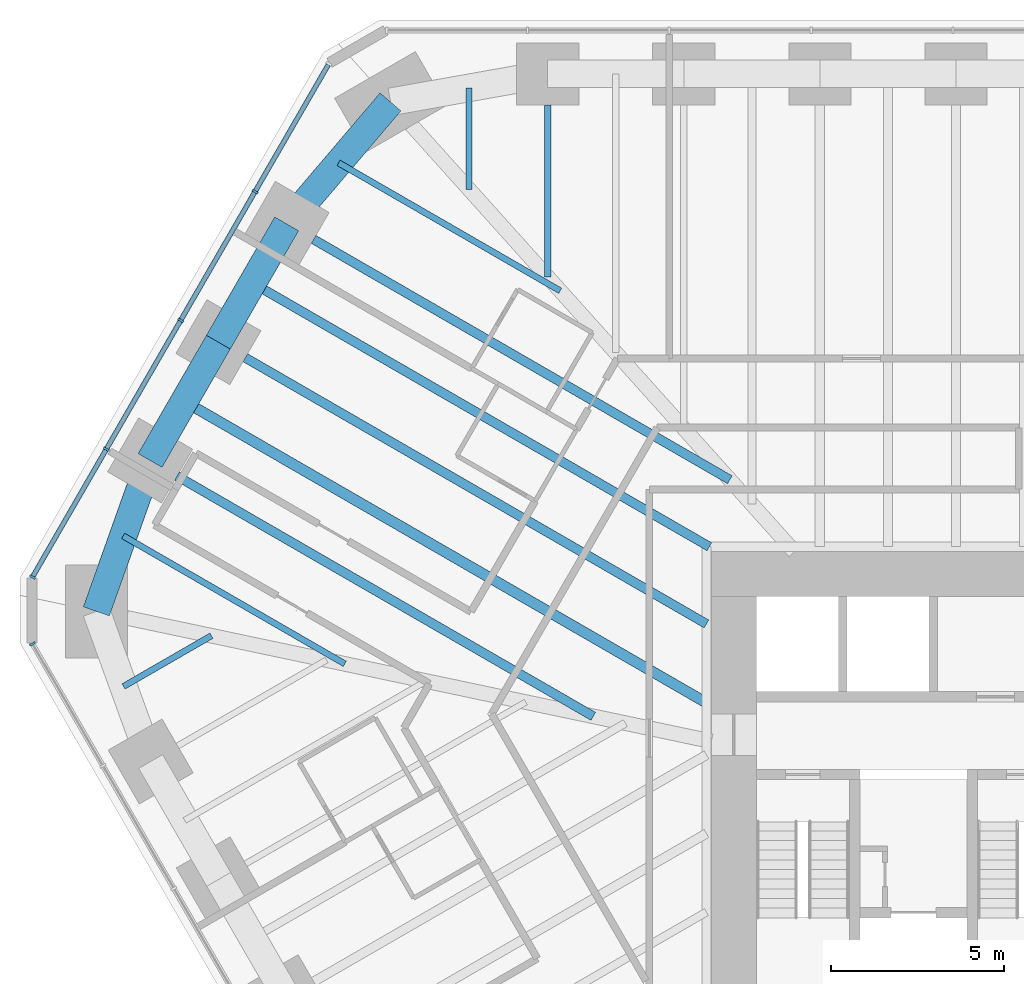
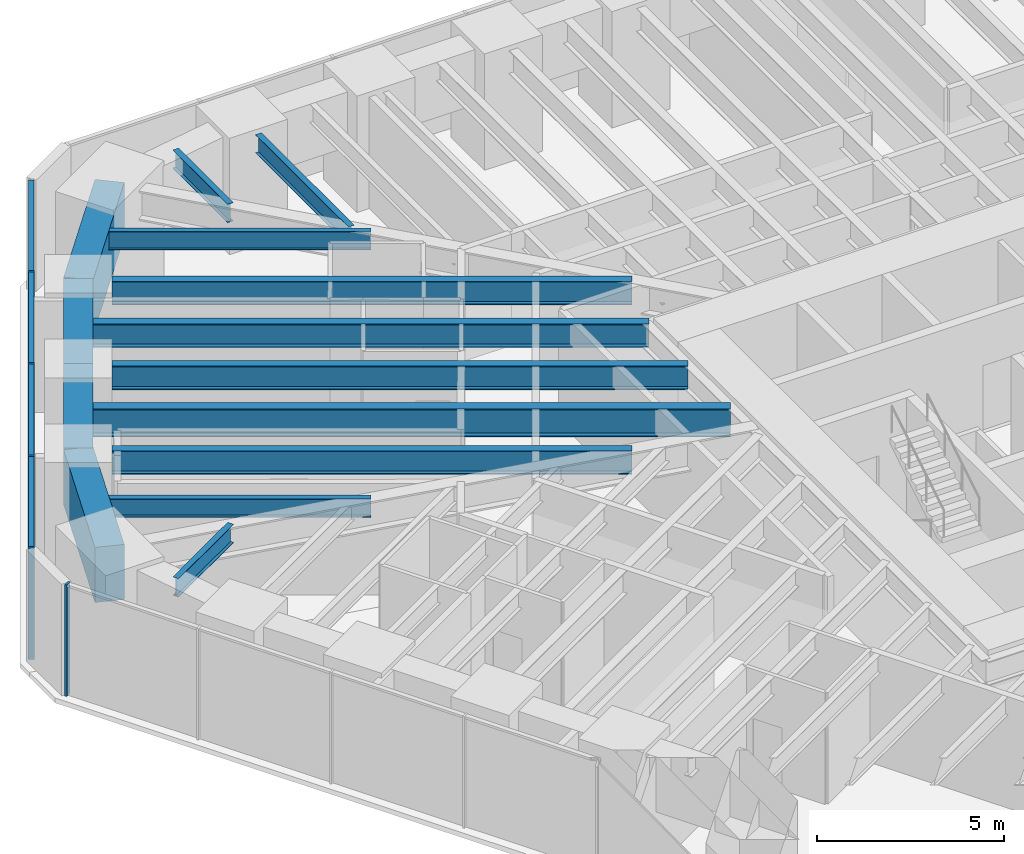
# One storey, part 7 of 16: 14 beams, 9 members, 2 elements without a shape of their own.
"""IFC4 building model written with IfcOpenShell, lengths in metres."""

from ifc_helpers import new_model, si_unit, direction, frame, origin, origin_2d, place, context, subcontext, project, spatial, rectangle, i_section, extrude, material, material_profile, profile_set, type_object, element, aggregate, save


model = new_model("IFC4")

# Units and contexts
model_context = context("Model", 3, precision=1e-05, world=origin(), true_north=direction((0.0, 1.0)))
body_context = subcontext(model_context, "Body", "Model", "MODEL_VIEW")
ifc_project = project(units=[si_unit("LENGTHUNIT", "METRE"), si_unit("AREAUNIT", "SQUARE_METRE"), si_unit("VOLUMEUNIT", "CUBIC_METRE"), si_unit("PLANEANGLEUNIT", "RADIAN"), si_unit("MASSUNIT", "GRAM", prefix="KILO")], contexts=[model_context])

# Site, building, storey
site_placement = place(None, origin())
site = spatial("IfcSite", under=ifc_project, at=site_placement, CompositionType="ELEMENT")
building_placement = place(site_placement, origin())
building = spatial("IfcBuilding", under=site, at=building_placement, Name="Sandreach Pilgrim Tower", CompositionType="ELEMENT")
storey_placement = place(building_placement, frame((0.0, 0.0, 134.800048828125)))
storey = spatial("IfcBuildingStorey", under=building, at=storey_placement, Name="L33", CompositionType="ELEMENT", Elevation=134.800048828125)

# Curtain wall, member
ifc_material_1 = material(Name="Aluminium framed curtain wall", Category="aluminium")
curtain_wall_type = type_object("IfcCurtainWallType", Name="Hotel tower curtain wall", PredefinedType="NOTDEFINED", material=ifc_material_1)
curtain_wall_1_placement = place(storey_placement, origin())
curtain_wall_1 = element("IfcCurtainWall", 1, at=curtain_wall_1_placement, inside=storey, type_object=curtain_wall_type, Name="CW-2 L33 SW", PredefinedType="NOTDEFINED")
ifc_material_2 = material(Name="Aluminium extrusion", Category="aluminium")
ifc_material_profile_1 = material_profile(ifc_material_2, rectangle(XDim=0.06494140625, YDim=0.179931640625, at=origin_2d()), Name="CW-2M 65X180")
ifc_profile_set_1 = profile_set([ifc_material_profile_1], Name="Aluminium extrusion")
member_type_1 = type_object("IfcMemberType", Name="CW-2 mullion", PredefinedType="MULLION", material=ifc_profile_set_1)
member_1_placement = place(storey_placement, frame((-28.70458984375, 4.730224609375, 0.0), z_axis=(0.0, 0.0, 1.0), x_axis=(-0.5, 0.866025403784, 0.0)))
member_1 = element("IfcMember", 2, at=member_1_placement, type_object=member_type_1, Name="CW-2 mullion 10", PredefinedType="MULLION", context=body_context, shape_type="SweptSolid", body=[
    extrude(rectangle(XDim=0.06494140625, YDim=0.179931640625, at=origin_2d()), origin(), (0.0, 0.0, 1.0), 3.639892578125),
])
aggregate(curtain_wall_1, [member_1])

# Curtain wall, members
curtain_wall_2_placement = place(storey_placement, origin())
curtain_wall_2 = element("IfcCurtainWall", 3, at=curtain_wall_2_placement, inside=storey, type_object=curtain_wall_type, Name="CW-2 L33 NW", PredefinedType="NOTDEFINED")
member_2_placement = place(storey_placement, frame((-28.70458984375, 6.66650390625, 0.0), z_axis=(0.0, 0.0, 1.0), x_axis=(0.5, 0.866025403784, 0.0)))
member_2 = element("IfcMember", 4, at=member_2_placement, type_object=member_type_1, Name="CW-2 mullion 1", PredefinedType="MULLION", context=body_context, shape_type="SweptSolid", body=[
    extrude(rectangle(XDim=0.06494140625, YDim=0.179931640625, at=origin_2d()), origin(), (0.0, 0.0, 1.0), 3.639892578125),
])
member_3_placement = place(storey_placement, frame((-26.568115234375, 10.3671875, 0.0), z_axis=(0.0, 0.0, 1.0), x_axis=(0.5, 0.866025403784, 0.0)))
member_3 = element("IfcMember", 5, at=member_3_placement, type_object=member_type_1, Name="CW-2 mullion 2", PredefinedType="MULLION", context=body_context, shape_type="SweptSolid", body=[
    extrude(rectangle(XDim=0.06494140625, YDim=0.179931640625, at=origin_2d()), origin(), (0.0, 0.0, 1.0), 3.639892578125),
])
member_4_placement = place(storey_placement, frame((-24.415283203125, 14.09619140625, 0.0), z_axis=(0.0, 0.0, 1.0), x_axis=(0.5, 0.866025403784, 0.0)))
member_4 = element("IfcMember", 6, at=member_4_placement, type_object=member_type_1, Name="CW-2 mullion 3", PredefinedType="MULLION", context=body_context, shape_type="SweptSolid", body=[
    extrude(rectangle(XDim=0.06494140625, YDim=0.179931640625, at=origin_2d()), origin(), (0.0, 0.0, 1.0), 3.639892578125),
])
member_5_placement = place(storey_placement, frame((-22.262451171875, 17.824951171875, 0.0), z_axis=(0.0, 0.0, 1.0), x_axis=(0.5, 0.866025403784, 0.0)))
member_5 = element("IfcMember", 7, at=member_5_placement, type_object=member_type_1, Name="CW-2 mullion 4", PredefinedType="MULLION", context=body_context, shape_type="SweptSolid", body=[
    extrude(rectangle(XDim=0.06494140625, YDim=0.179931640625, at=origin_2d()), origin(), (0.0, 0.0, 1.0), 3.639892578125),
])
ifc_material_3 = material(Name="Aluminium extrusion", Category="aluminium")
ifc_material_profile_2 = material_profile(ifc_material_3, rectangle(XDim=0.139892578125, YDim=0.070068359375, at=origin_2d()), Name="CW-2T 140X70")
ifc_profile_set_2 = profile_set([ifc_material_profile_2], Name="Aluminium extrusion")
member_type_2 = type_object("IfcMemberType", Name="CW-2 transom", PredefinedType="USERDEFINED", material=ifc_profile_set_2)
member_6_placement = place(storey_placement, frame((-28.6884765625, 6.69482421875, 3.60498046875), z_axis=(0.500038835258, 0.866002981077, 0.0), x_axis=(-0.866002981077, 0.500038835258, 0.0)))
member_6 = element("IfcMember", 8, at=member_6_placement, type_object=member_type_2, Name="CW-2 head transom 1", ObjectType="TRANSOM", PredefinedType="USERDEFINED", context=body_context, shape_type="SweptSolid", body=[
    extrude(rectangle(XDim=0.139892578125, YDim=0.070068359375, at=origin_2d()), origin(), (0.0, 0.0, 1.0), 4.208251953125),
])
member_7_placement = place(storey_placement, frame((-26.5517578125, 10.3955078125, 3.60498046875), z_axis=(0.500021471012, 0.866013007135, 0.0), x_axis=(-0.866013007135, 0.500021471012, 0.0)))
member_7 = element("IfcMember", 9, at=member_7_placement, type_object=member_type_2, Name="CW-2 head transom 2", ObjectType="TRANSOM", PredefinedType="USERDEFINED", context=body_context, shape_type="SweptSolid", body=[
    extrude(rectangle(XDim=0.139892578125, YDim=0.070068359375, at=origin_2d()), origin(), (0.0, 0.0, 1.0), 4.240478515625),
])
member_8_placement = place(storey_placement, frame((-24.39892578125, 14.124267578125, 3.60498046875), z_axis=(0.499996541496, 0.866027400544, 0.0), x_axis=(-0.866027400544, 0.499996541496, 0.0)))
member_8 = element("IfcMember", 10, at=member_8_placement, type_object=member_type_2, Name="CW-2 head transom 3", ObjectType="TRANSOM", PredefinedType="USERDEFINED", context=body_context, shape_type="SweptSolid", body=[
    extrude(rectangle(XDim=0.139892578125, YDim=0.070068359375, at=origin_2d()), origin(), (0.0, 0.0, 1.0), 4.24072265625),
])
member_9_placement = place(storey_placement, frame((-22.24609375, 17.85302734375, 3.60498046875), z_axis=(0.49997020258, 0.86604260665, 0.0), x_axis=(-0.86604260665, 0.49997020258, 0.0)))
member_9 = element("IfcMember", 11, at=member_9_placement, type_object=member_type_2, Name="CW-2 head transom 4", ObjectType="TRANSOM", PredefinedType="USERDEFINED", context=body_context, shape_type="SweptSolid", body=[
    extrude(rectangle(XDim=0.139892578125, YDim=0.070068359375, at=origin_2d()), origin(), (0.0, 0.0, 1.0), 4.208251953125),
])
aggregate(curtain_wall_2, [member_2, member_3, member_4, member_5, member_6, member_7, member_8, member_9])

# Beams
ifc_material_4 = material(Name="Steel ASTM A992 Grade 50", Category="steel")
ifc_material_profile_3 = material_profile(ifc_material_4, i_section(OverallWidth=0.1787109375, OverallDepth=0.60205078125, WebThickness=0.010986328125, FlangeThickness=0.014892578125, at=origin_2d()), Name="W24X62")
ifc_profile_set_3 = profile_set([ifc_material_profile_3], Name="Steel ASTM A992 Grade 50")
beam_type_1 = type_object("IfcBeamType", Name="Floor beam W24X62", PredefinedType="BEAM", material=ifc_profile_set_3)
beam_1_placement = place(storey_placement, frame((-13.789794921875, 20.333740234375, 3.3388671875), z_axis=(0.0, -1.0, 0.0), x_axis=(1.0, 0.0, 0.0)))
element("IfcBeam", 12, at=beam_1_placement, inside=storey, type_object=beam_type_1, Name="BM L33 F01", PredefinedType="BEAM", context=body_context, shape_type="SweptSolid", body=[
    extrude(i_section(OverallWidth=0.1787109375, OverallDepth=0.60205078125, WebThickness=0.010986328125, FlangeThickness=0.014892578125, at=origin_2d()), origin(), (0.0, 0.0, 1.0), 4.9765625),
])
beam_2_placement = place(storey_placement, frame((-26.070556640625, 3.498046875, 3.3388671875), z_axis=(0.866051374412, 0.499955014855, 0.0), x_axis=(-0.499955014855, 0.866051374412, 0.0)))
element("IfcBeam", 13, at=beam_2_placement, inside=storey, type_object=beam_type_1, Name="BM L33 FM34", PredefinedType="BEAM", context=body_context, shape_type="SweptSolid", body=[
    extrude(i_section(OverallWidth=0.1787109375, OverallDepth=0.60205078125, WebThickness=0.010986328125, FlangeThickness=0.014892578125, at=origin_2d()), origin(), (0.0, 0.0, 1.0), 2.938232421875),
])
for number, where, z_axis, x_axis, name in (
    (14, (-26.079345703125, 7.855712890625, 3.3388671875), (0.866025875064, -0.499999183719, 0.0), (0.499999183719, 0.866025875064, 0.0), "BM L33 FM35"),
    (15, (-19.8427734375, 18.65771484375, 3.3388671875), (0.866025875064, -0.499999183719, 0.0), (0.499999183719, 0.866025875064, 0.0), "BM L33 FM38"),
):
    element("IfcBeam", number, at=place(storey_placement, frame(where, z_axis=z_axis, x_axis=x_axis)), inside=storey, type_object=beam_type_1, Name=name, PredefinedType="BEAM", context=body_context, shape_type="SweptSolid", body=[
        extrude(i_section(OverallWidth=0.1787109375, OverallDepth=0.60205078125, WebThickness=0.010986328125, FlangeThickness=0.014892578125, at=origin_2d()), origin(), (0.0, 0.0, 1.0), 7.40771484375),
    ])
beam_3_placement = place(storey_placement, frame((-16.064697265625, 20.828857421875, 3.3388671875), z_axis=(0.0, -1.0, 0.0), x_axis=(1.0, 0.0, 0.0)))
element("IfcBeam", 16, at=beam_3_placement, inside=storey, type_object=beam_type_1, Name="BM L33 FM39", PredefinedType="BEAM", context=body_context, shape_type="SweptSolid", body=[
    extrude(i_section(OverallWidth=0.1787109375, OverallDepth=0.60205078125, WebThickness=0.010986328125, FlangeThickness=0.014892578125, at=origin_2d()), origin(), (0.0, 0.0, 1.0), 2.938232421875),
])
ifc_material_5 = material(Name="Steel ASTM A992 Grade 50", Category="steel")
ifc_material_profile_4 = material_profile(ifc_material_5, i_section(OverallWidth=0.2666015625, OverallDepth=0.761962890625, WebThickness=0.014404296875, FlangeThickness=0.021484375, at=origin_2d()), Name="W30X116")
ifc_profile_set_4 = profile_set([ifc_material_profile_4], Name="Steel ASTM A992 Grade 50")
beam_type_2 = type_object("IfcBeamType", Name="Floor beam W30X116", PredefinedType="BEAM", material=ifc_profile_set_4)
beam_4_placement = place(storey_placement, frame((-24.522216796875, 9.5908203125, 3.259033203125), z_axis=(0.866026649588, -0.499997842199, 0.0), x_axis=(0.499997842199, 0.866026649588, 0.0)))
element("IfcBeam", 17, at=beam_4_placement, inside=storey, type_object=beam_type_2, Name="BM L33 F36", PredefinedType="BEAM", context=body_context, shape_type="SweptSolid", body=[
    extrude(i_section(OverallWidth=0.2666015625, OverallDepth=0.761962890625, WebThickness=0.014404296875, FlangeThickness=0.021484375, at=origin_2d()), origin(), (0.0, 0.0, 1.0), 13.91552734375),
])
beam_5_placement = place(storey_placement, frame((-20.56689453125, 16.44140625, 3.259033203125), z_axis=(0.866022263426, -0.500005439221, 0.0), x_axis=(0.500005439221, 0.866022263426, 0.0)))
element("IfcBeam", 18, at=beam_5_placement, inside=storey, type_object=beam_type_2, Name="BM L33 F38", PredefinedType="BEAM", context=body_context, shape_type="SweptSolid", body=[
    extrude(i_section(OverallWidth=0.2666015625, OverallDepth=0.761962890625, WebThickness=0.014404296875, FlangeThickness=0.021484375, at=origin_2d()), origin(), (0.0, 0.0, 1.0), 13.915283203125),
])
ifc_material_6 = material(Name="Steel ASTM A992 Grade 50", Category="steel")
ifc_material_profile_5 = material_profile(ifc_material_6, i_section(OverallWidth=0.2666015625, OverallDepth=0.77978515625, WebThickness=0.0166015625, FlangeThickness=0.030029296875, at=origin_2d()), Name="W30X148")
ifc_profile_set_5 = profile_set([ifc_material_profile_5], Name="Steel ASTM A992 Grade 50")
beam_type_3 = type_object("IfcBeamType", Name="Floor beam W30X148", PredefinedType="BEAM", material=ifc_profile_set_5)
beam_6_placement = place(storey_placement, frame((-22.544677734375, 13.01611328125, 3.25), z_axis=(0.866029203842, -0.49999341805, 0.0), x_axis=(0.49999341805, 0.866029203842, 0.0)))
element("IfcBeam", 19, at=beam_6_placement, inside=storey, type_object=beam_type_3, Name="BM L33 F37", PredefinedType="BEAM", context=body_context, shape_type="SweptSolid", body=[
    extrude(i_section(OverallWidth=0.2666015625, OverallDepth=0.77978515625, WebThickness=0.0166015625, FlangeThickness=0.030029296875, at=origin_2d()), origin(), (0.0, 0.0, 1.0), 15.416748046875),
])
beam_7_placement = place(storey_placement, frame((-22.335205078125, 15.1787109375, 3.25), z_axis=(0.866028773314, -0.499994163758, 0.0), x_axis=(0.499994163758, 0.866028773314, 0.0)))
element("IfcBeam", 20, at=beam_7_placement, inside=storey, type_object=beam_type_3, Name="BM L33 FM37", PredefinedType="BEAM", context=body_context, shape_type="SweptSolid", body=[
    extrude(i_section(OverallWidth=0.2666015625, OverallDepth=0.77978515625, WebThickness=0.0166015625, FlangeThickness=0.030029296875, at=origin_2d()), origin(), (0.0, 0.0, 1.0), 15.270751953125),
])
ifc_material_7 = material(Name="Steel ASTM A992 Grade 50", Category="steel")
ifc_material_profile_6 = material_profile(ifc_material_7, i_section(OverallWidth=0.3046875, OverallDepth=0.914306640625, WebThickness=0.0166015625, FlangeThickness=0.02587890625, at=origin_2d()), Name="W36X160")
ifc_profile_set_6 = profile_set([ifc_material_profile_6], Name="Steel ASTM A992 Grade 50")
beam_type_4 = type_object("IfcBeamType", Name="Floor beam W36X160", PredefinedType="BEAM", material=ifc_profile_set_6)
beam_8_placement = place(storey_placement, frame((-24.312744140625, 11.75341796875, 3.182861328125), z_axis=(0.866023737483, -0.500002886107, 0.0), x_axis=(0.500002886107, 0.866023737483, 0.0)))
element("IfcBeam", 21, at=beam_8_placement, inside=storey, type_object=beam_type_4, Name="BM L33 FM36", PredefinedType="BEAM", context=body_context, shape_type="SweptSolid", body=[
    extrude(i_section(OverallWidth=0.3046875, OverallDepth=0.914306640625, WebThickness=0.0166015625, FlangeThickness=0.02587890625, at=origin_2d()), origin(), (0.0, 0.0, 1.0), 17.45849609375),
])
ifc_material_8 = material(Name="Concrete 10000 psi", Category="concrete")
ifc_material_profile_7 = material_profile(ifc_material_8, rectangle(XDim=0.800048828125, YDim=1.800048828125, at=origin_2d()), Name="RC800X1800")
ifc_profile_set_7 = profile_set([ifc_material_profile_7], Name="Concrete 10000 psi")
beam_type_5 = type_object("IfcBeamType", Name="Spandrel beam RC800X1800", PredefinedType="SPANDREL", material=ifc_profile_set_7)
beam_9_placement = place(storey_placement, frame((-26.857177734375, 5.67041015625, 2.739990234375), z_axis=(0.335346041399, 0.942095023083, 0.0), x_axis=(-0.942095023083, 0.335346041399, 0.0)))
element("IfcBeam", 22, at=beam_9_placement, inside=storey, type_object=beam_type_5, Name="BM L33 SP35", PredefinedType="SPANDREL", context=body_context, shape_type="SweptSolid", body=[
    extrude(rectangle(XDim=0.800048828125, YDim=1.800048828125, at=origin_2d()), origin(), (0.0, 0.0, 1.0), 4.638916015625),
])
for number, where, z_axis, x_axis, name in (
    (23, (-25.301513671875, 10.040771484375, 2.739990234375), (0.499989616998, 0.866031398331, 0.0), (-0.866031398331, 0.499989616998, 0.0), "BM L33 SP36"),
    (24, (-23.323974609375, 13.466064453125, 2.739990234375), (0.499989616998, 0.866031398331, 0.0), (-0.866031398331, 0.499989616998, 0.0), "BM L33 SP37"),
):
    element("IfcBeam", number, at=place(storey_placement, frame(where, z_axis=z_axis, x_axis=x_axis)), inside=storey, type_object=beam_type_5, Name=name, PredefinedType="SPANDREL", context=body_context, shape_type="SweptSolid", body=[
        extrude(rectangle(XDim=0.800048828125, YDim=1.800048828125, at=origin_2d()), origin(), (0.0, 0.0, 1.0), 3.955078125),
    ])
beam_10_placement = place(storey_placement, frame((-21.346435546875, 16.891357421875, 2.739990234375), z_axis=(0.648208888384, 0.761462564425, 0.0), x_axis=(-0.761462564425, 0.648208888384, 0.0)))
element("IfcBeam", 25, at=beam_10_placement, inside=storey, type_object=beam_type_5, Name="BM L33 SP38", PredefinedType="SPANDREL", context=body_context, shape_type="SweptSolid", body=[
    extrude(rectangle(XDim=0.800048828125, YDim=1.800048828125, at=origin_2d()), origin(), (0.0, 0.0, 1.0), 4.63916015625),
])

save(model, "model.ifc")
